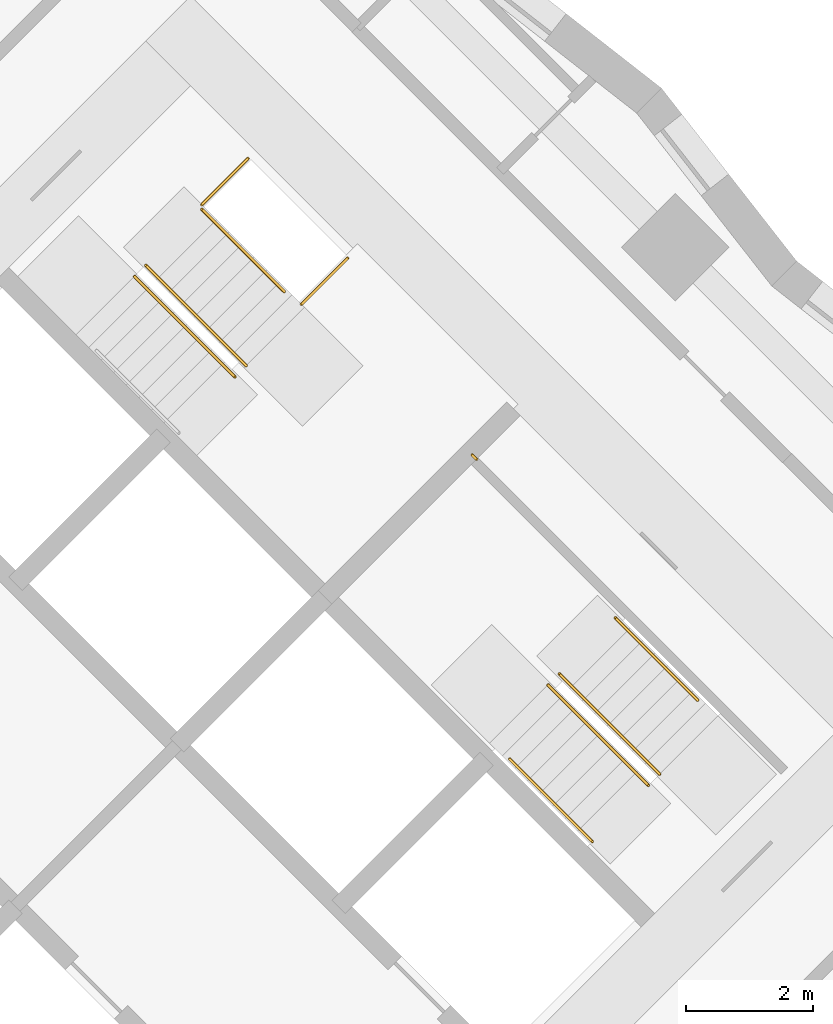
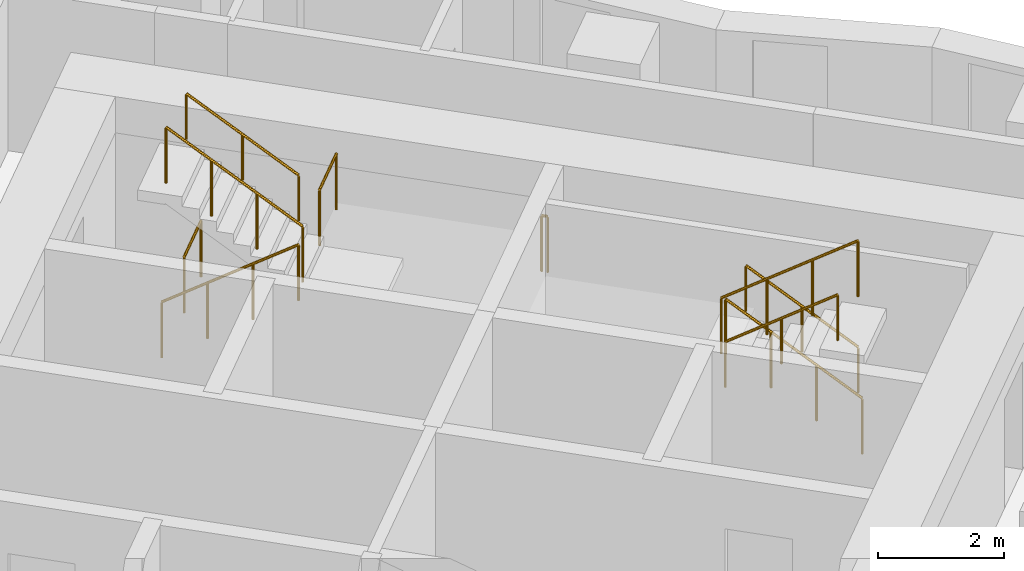
# One storey, part 13 of 13: 10 railings.
"""IFC4 building model written with IfcOpenShell, lengths in metres."""

from ifc_helpers import new_model, si_unit, direction, frame, origin, origin_2d, place, context, subcontext, project, spatial, circle, extrude, material, type_object, element, save


model = new_model("IFC4")

# Units and contexts
model_context = context("Model", 3, precision=1e-05, world=origin(), true_north=direction((0.0, 1.0)))
body_context = subcontext(model_context, "Body", "Model", "MODEL_VIEW")
ifc_project = project(units=[si_unit("LENGTHUNIT", "METRE"), si_unit("AREAUNIT", "SQUARE_METRE"), si_unit("VOLUMEUNIT", "CUBIC_METRE"), si_unit("PLANEANGLEUNIT", "RADIAN"), si_unit("MASSUNIT", "GRAM", prefix="KILO")], contexts=[model_context])

# Site, building, storey
site_placement = place(None, origin())
site = spatial("IfcSite", under=ifc_project, at=site_placement, CompositionType="ELEMENT")
building_placement = place(site_placement, origin())
building = spatial("IfcBuilding", under=site, at=building_placement, Name="Windrow Commons", CompositionType="ELEMENT")
storey_placement = place(building_placement, frame((0.0, 0.0, 40.6)))
storey = spatial("IfcBuildingStorey", under=building, at=storey_placement, Name="L10", CompositionType="ELEMENT", Elevation=40.6)

# Railings
ifc_material_1 = material(Name="Steel S355", Category="steel")
railing_type_1 = type_object("IfcRailingType", Name="Core stair guard 1100", PredefinedType="GUARDRAIL", material=ifc_material_1)
railing_1_placement = place(storey_placement, frame((85.9529, 56.2669, 0.1889)))
element("IfcRailing", 1, at=railing_1_placement, inside=storey, type_object=railing_type_1, Name="L10 ST-B1 stair guard 1", PredefinedType="GUARDRAIL", context=body_context, shape_type="SweptSolid", body=[
    extrude(circle(Radius=0.024, at=origin_2d()), frame((0.0, 0.0, 1.076), z_axis=(0.5861914914, -0.5861914914, 0.5592486664), x_axis=(0.7071067812, 0.7071067812, 0.0)), (0.0, 0.0, 1.0), 2.702),
    extrude(circle(Radius=0.021, at=origin_2d()), origin(), (0.0, 0.0, 1.0), 1.052),
    extrude(circle(Radius=0.021, at=origin_2d()), frame((0.528, -0.528, 0.5037)), (0.0, 0.0, 1.0), 1.052),
    extrude(circle(Radius=0.021, at=origin_2d()), frame((1.0559, -1.0559, 1.0074)), (0.0, 0.0, 1.0), 1.052),
    extrude(circle(Radius=0.021, at=origin_2d()), frame((1.5839, -1.5839, 1.5111)), (0.0, 0.0, 1.0), 1.052),
])
railing_2_placement = place(storey_placement, frame((87.7136, 54.8597, 1.8889)))
element("IfcRailing", 2, at=railing_2_placement, inside=storey, type_object=railing_type_1, Name="L10 ST-B1 stair guard 2", PredefinedType="GUARDRAIL", context=body_context, shape_type="SweptSolid", body=[
    extrude(circle(Radius=0.024, at=origin_2d()), frame((0.0, 0.0, 1.076), z_axis=(-0.5862030657, 0.5862030657, 0.5592244018), x_axis=(-0.7071067812, -0.7071067812, 0.0)), (0.0, 0.0, 1.0), 2.7021),
    extrude(circle(Radius=0.021, at=origin_2d()), origin(), (0.0, 0.0, 1.0), 1.052),
    extrude(circle(Radius=0.021, at=origin_2d()), frame((-0.528, 0.528, 0.5037)), (0.0, 0.0, 1.0), 1.052),
    extrude(circle(Radius=0.021, at=origin_2d()), frame((-1.056, 1.056, 1.0074)), (0.0, 0.0, 1.0), 1.052),
    extrude(circle(Radius=0.021, at=origin_2d()), frame((-1.584, 1.584, 1.5111)), (0.0, 0.0, 1.0), 1.052),
])
railing_3_placement = place(storey_placement, frame((87.0135, 57.3982, 0.0)))
element("IfcRailing", 3, at=railing_3_placement, inside=storey, type_object=railing_type_1, Name="L10 ST-B1 stair guard 3", PredefinedType="GUARDRAIL", context=body_context, shape_type="SweptSolid", body=[
    extrude(circle(Radius=0.024, at=origin_2d()), frame((0.0, 0.0, 1.076), z_axis=(0.7070582378, 0.7071553212, 0.0), x_axis=(-0.7071553212, 0.7070582378, 0.0)), (0.0, 0.0, 1.0), 1.03),
    extrude(circle(Radius=0.021, at=origin_2d()), origin(), (0.0, 0.0, 1.0), 1.052),
    extrude(circle(Radius=0.021, at=origin_2d()), frame((0.7283, 0.7284, 0.0)), (0.0, 0.0, 1.0), 1.052),
])
railing_4_placement = place(storey_placement, frame((88.5833, 55.8285, 1.7)))
element("IfcRailing", 4, at=railing_4_placement, inside=storey, type_object=railing_type_1, Name="L10 ST-B1 stair guard 4", PredefinedType="GUARDRAIL", context=body_context, shape_type="SweptSolid", body=[
    extrude(circle(Radius=0.024, at=origin_2d()), frame((0.0, 0.0, 1.076), z_axis=(0.7071067812, 0.7071067812, 0.0), x_axis=(-0.7071067812, 0.7071067812, 0.0)), (0.0, 0.0, 1.0), 1.03),
    extrude(circle(Radius=0.021, at=origin_2d()), origin(), (0.0, 0.0, 1.0), 1.052),
    extrude(circle(Radius=0.021, at=origin_2d()), frame((0.7283, 0.7283, 0.0)), (0.0, 0.0, 1.0), 1.052),
])
railing_5_placement = place(storey_placement, frame((94.2296, 48.4215, 0.1889)))
element("IfcRailing", 5, at=railing_5_placement, inside=storey, type_object=railing_type_1, Name="L10 ST-B2 stair guard 1", PredefinedType="GUARDRAIL", context=body_context, shape_type="SweptSolid", body=[
    extrude(circle(Radius=0.024, at=origin_2d()), frame((0.0, 0.0, 1.076), z_axis=(-0.5862157828, 0.5861787742, 0.5592365337), x_axis=(-0.7070844598, -0.7071291018, 0.0)), (0.0, 0.0, 1.0), 2.7021),
    extrude(circle(Radius=0.021, at=origin_2d()), origin(), (0.0, 0.0, 1.0), 1.052),
    extrude(circle(Radius=0.021, at=origin_2d()), frame((-0.528, 0.528, 0.5037)), (0.0, 0.0, 1.0), 1.052),
    extrude(circle(Radius=0.021, at=origin_2d()), frame((-1.056, 1.0559, 1.0074)), (0.0, 0.0, 1.0), 1.052),
    extrude(circle(Radius=0.021, at=origin_2d()), frame((-1.584, 1.5839, 1.5111)), (0.0, 0.0, 1.0), 1.052),
])
railing_6_placement = place(storey_placement, frame((92.4689, 49.8287, 1.8889)))
element("IfcRailing", 6, at=railing_6_placement, inside=storey, type_object=railing_type_1, Name="L10 ST-B2 stair guard 2", PredefinedType="GUARDRAIL", context=body_context, shape_type="SweptSolid", body=[
    extrude(circle(Radius=0.024, at=origin_2d()), frame((0.0, 0.0, 1.076), z_axis=(0.5861787742, -0.5862157828, 0.5592365337), x_axis=(0.7071291018, 0.7070844598, 0.0)), (0.0, 0.0, 1.0), 2.7021),
    extrude(circle(Radius=0.021, at=origin_2d()), origin(), (0.0, 0.0, 1.0), 1.052),
    extrude(circle(Radius=0.021, at=origin_2d()), frame((0.528, -0.528, 0.5037)), (0.0, 0.0, 1.0), 1.052),
    extrude(circle(Radius=0.021, at=origin_2d()), frame((1.0559, -1.056, 1.0074)), (0.0, 0.0, 1.0), 1.052),
    extrude(circle(Radius=0.021, at=origin_2d()), frame((1.5839, -1.584, 1.5111)), (0.0, 0.0, 1.0), 1.052),
])
railing_7_placement = place(storey_placement, frame((91.3446, 53.3854, 1.7)))
element("IfcRailing", 7, at=railing_7_placement, inside=storey, type_object=railing_type_1, Name="L10 ST-B2 stair guard 3", PredefinedType="GUARDRAIL", context=body_context, shape_type="SweptSolid", body=[
    extrude(circle(Radius=0.024, at=origin_2d()), frame((0.0, 0.0, 1.076), z_axis=(-0.7076063266, 0.7066068826, 0.0), x_axis=(-0.7066068826, -0.7076063266, 0.0)), (0.0, 0.0, 1.0), 0.1001),
    extrude(circle(Radius=0.021, at=origin_2d()), origin(), (0.0, 0.0, 1.0), 1.052),
    extrude(circle(Radius=0.021, at=origin_2d()), frame((-0.0708, 0.0707, 0.0)), (0.0, 0.0, 1.0), 1.052),
])
ifc_material_2 = material(Name="Steel S355", Category="steel")
railing_type_2 = type_object("IfcRailingType", Name="Core stair handrail 900", PredefinedType="HANDRAIL", material=ifc_material_2)
railing_8_placement = place(storey_placement, frame((88.3146, 56.0265, 2.1587)))
element("IfcRailing", 8, at=railing_8_placement, inside=storey, type_object=railing_type_2, Name="L10 ST-B1 stair handrail 2", PredefinedType="HANDRAIL", context=body_context, shape_type="SweptSolid", body=[
    extrude(circle(Radius=0.024, at=origin_2d()), frame((0.0, 0.0, 0.876), z_axis=(-0.586206706, 0.5861616513, 0.5592639952), x_axis=(-0.7070796062, -0.7071339551, 0.0)), (0.0, 0.0, 1.0), 2.2195),
    extrude(circle(Radius=0.021, at=origin_2d()), origin(), (0.0, 0.0, 1.0), 0.852),
    extrude(circle(Radius=0.021, at=origin_2d()), frame((-0.6506, 0.6505, 0.6207)), (0.0, 0.0, 1.0), 0.852),
    extrude(circle(Radius=0.021, at=origin_2d()), frame((-1.3011, 1.301, 1.2413)), (0.0, 0.0, 1.0), 0.852),
])
railing_9_placement = place(storey_placement, frame((94.8306, 49.5883, 0.4587)))
element("IfcRailing", 9, at=railing_9_placement, inside=storey, type_object=railing_type_2, Name="L10 ST-B2 stair handrail 1", PredefinedType="HANDRAIL", context=body_context, shape_type="SweptSolid", body=[
    extrude(circle(Radius=0.024, at=origin_2d()), frame((0.0, 0.0, 0.876), z_axis=(-0.586206706, 0.5861616513, 0.5592639952), x_axis=(-0.7070796062, -0.7071339551, 0.0)), (0.0, 0.0, 1.0), 2.2195),
    extrude(circle(Radius=0.021, at=origin_2d()), origin(), (0.0, 0.0, 1.0), 0.852),
    extrude(circle(Radius=0.021, at=origin_2d()), frame((-0.6506, 0.6505, 0.6206)), (0.0, 0.0, 1.0), 0.852),
    extrude(circle(Radius=0.021, at=origin_2d()), frame((-1.3011, 1.301, 1.2413)), (0.0, 0.0, 1.0), 0.852),
])
railing_10_placement = place(storey_placement, frame((91.8678, 48.6619, 2.1587)))
element("IfcRailing", 10, at=railing_10_placement, inside=storey, type_object=railing_type_2, Name="L10 ST-B2 stair handrail 2", PredefinedType="HANDRAIL", context=body_context, shape_type="SweptSolid", body=[
    extrude(circle(Radius=0.024, at=origin_2d()), frame((0.0, 0.0, 0.876), z_axis=(0.586206706, -0.5861616513, 0.5592639952), x_axis=(0.7070796062, 0.7071339551, 0.0)), (0.0, 0.0, 1.0), 2.2195),
    extrude(circle(Radius=0.021, at=origin_2d()), origin(), (0.0, 0.0, 1.0), 0.852),
    extrude(circle(Radius=0.021, at=origin_2d()), frame((0.6505, -0.6505, 0.6207)), (0.0, 0.0, 1.0), 0.852),
    extrude(circle(Radius=0.021, at=origin_2d()), frame((1.3011, -1.301, 1.2413)), (0.0, 0.0, 1.0), 0.852),
])

save(model, "model.ifc")
